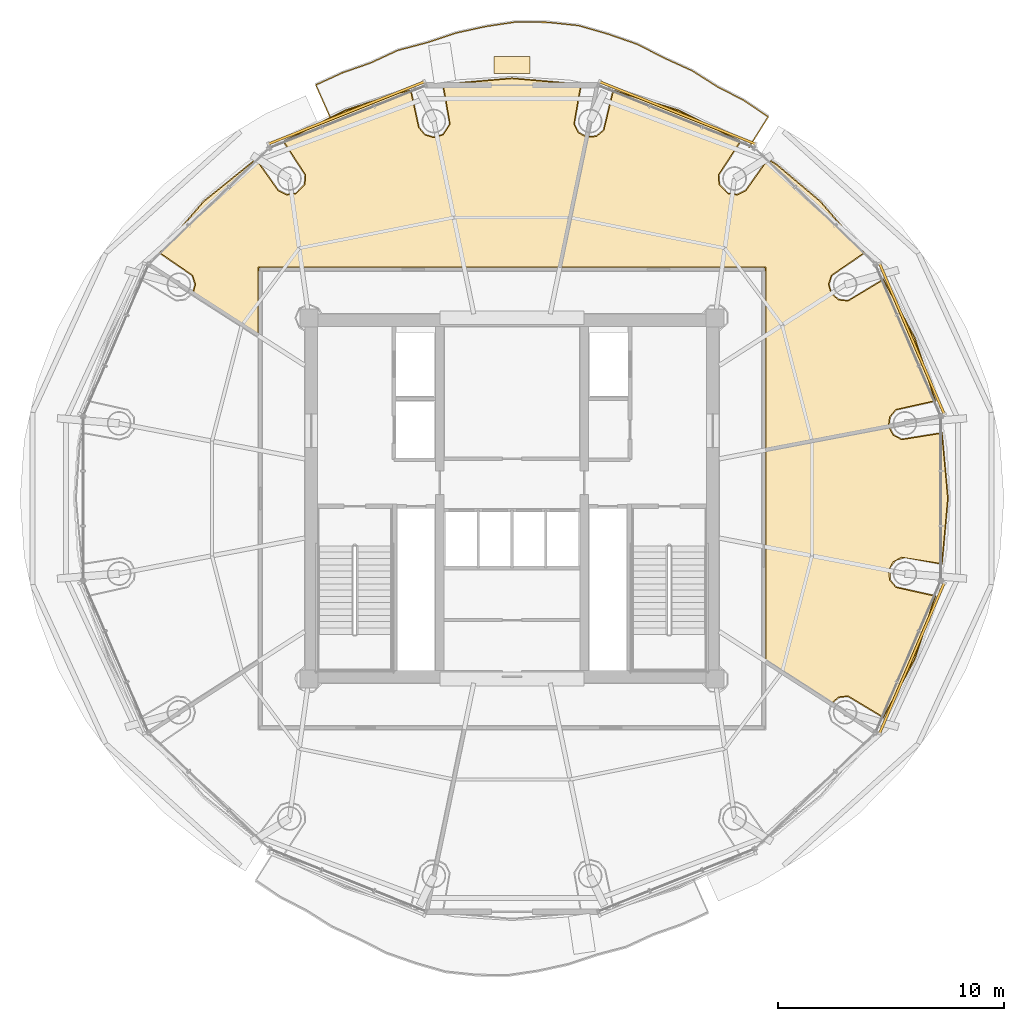
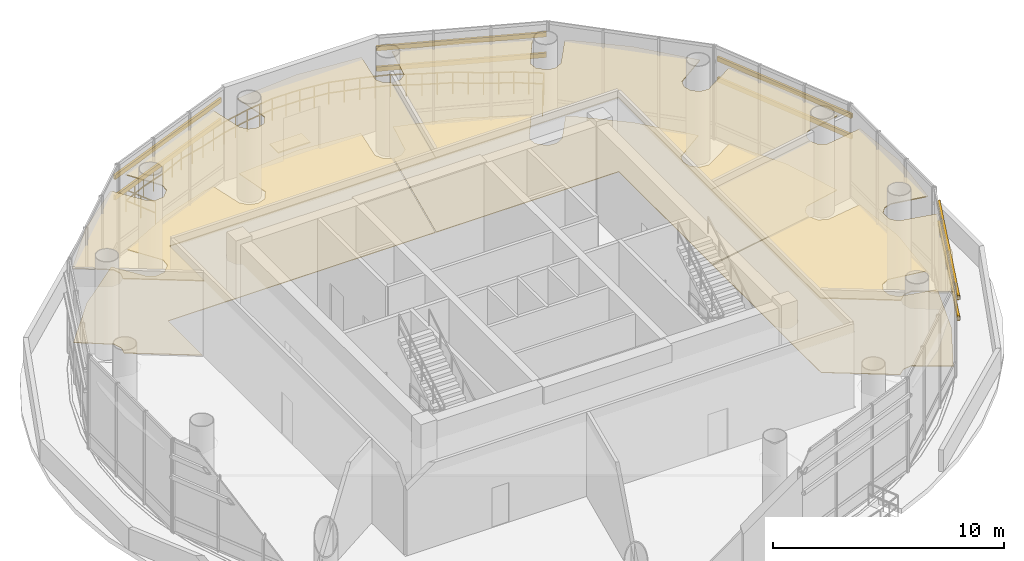
# One storey, part 22 of 22: 8 shading devices, 7 coverings, 1 railing.
"""IFC4 building model written with IfcOpenShell, lengths in metres."""

from ifc_helpers import new_model, si_unit, direction, frame, origin, origin_2d, place, context, subcontext, project, spatial, polyline, rectangle, hollow_rectangle, outline, extrude, source, transform, mapped, material, layer, layer_set, material_profile, profile_set, type_object, element, save


model = new_model("IFC4")

# Units and contexts
model_context = context("Model", 3, precision=1e-05, world=origin(), true_north=direction((-0.2419218956, 0.970295726276)))
body_context = subcontext(model_context, "Body", "Model", "MODEL_VIEW")
ifc_project = project(units=[si_unit("LENGTHUNIT", "METRE"), si_unit("AREAUNIT", "SQUARE_METRE"), si_unit("VOLUMEUNIT", "CUBIC_METRE"), si_unit("PLANEANGLEUNIT", "RADIAN"), si_unit("MASSUNIT", "GRAM", prefix="KILO")], contexts=[model_context])

# Site, building, storey
site_placement = place(None, origin())
site = spatial("IfcSite", under=ifc_project, at=site_placement, CompositionType="ELEMENT")
building_placement = place(site_placement, origin())
building = spatial("IfcBuilding", under=site, at=building_placement, Name="Cobrevalo Terracotta Tower", CompositionType="ELEMENT")
storey_placement = place(building_placement, frame((0.0, 0.0, 243.0)))
storey = spatial("IfcBuildingStorey", under=building, at=storey_placement, Name="L64", CompositionType="ELEMENT", Elevation=243.0)

# Railing
ifc_material_1 = material(Name="Laminated structural glass and stainless steel", Category="steel")
railing_type = type_object("IfcRailingType", Name="Balcony lobe structural glass & terracotta-cap balustrade 1180 mm", PredefinedType="BALUSTRADE", material=ifc_material_1)
railing_placement = place(storey_placement, frame((48.509033203125, 42.36669921875, 0.0)))
element("IfcRailing", 1, at=railing_placement, inside=storey, type_object=railing_type, Name="L64 spiralling balcony lobe balustrade 1", PredefinedType="BALUSTRADE", context=body_context, shape_type="SweptSolid", body=[
    extrude(rectangle(XDim=0.048095703125, YDim=0.048095703125, at=origin_2d()), frame((0.0, 0.0, 1.15576171875), z_axis=(0.531421841923, 0.847107328458, 0.0), x_axis=(-0.847107328458, 0.531421841923, 0.0)), (0.0, 0.0, 1.0), 1.587646484375),
    extrude(rectangle(XDim=0.048095703125, YDim=0.048095703125, at=origin_2d()), frame((0.0, 0.0, 0.58984375), z_axis=(0.531421841923, 0.847107328458, 0.0), x_axis=(-0.847107328458, 0.531421841923, 0.0)), (0.0, 0.0, 1.0), 1.587646484375),
    extrude(rectangle(XDim=0.048095703125, YDim=0.048095703125, at=origin_2d()), frame((0.84375, 1.344970703125, 1.15576171875), z_axis=(-0.829187182177, 0.558971034056, 0.0), x_axis=(-0.558971034056, -0.829187182177, 0.0)), (0.0, 0.0, 1.0), 1.3037109375),
    extrude(rectangle(XDim=0.048095703125, YDim=0.048095703125, at=origin_2d()), frame((0.84375, 1.344970703125, 0.58984375), z_axis=(-0.829187182177, 0.558971034056, 0.0), x_axis=(-0.558971034056, -0.829187182177, 0.0)), (0.0, 0.0, 1.0), 1.3037109375),
    extrude(rectangle(XDim=0.048095703125, YDim=0.048095703125, at=origin_2d()), frame((-0.2373046875, 2.07373046875, 1.15576171875), z_axis=(-0.889029768146, 0.457849398111, 0.0), x_axis=(-0.457849398111, -0.889029768146, 0.0)), (0.0, 0.0, 1.0), 1.30908203125),
    extrude(rectangle(XDim=0.048095703125, YDim=0.048095703125, at=origin_2d()), frame((-0.2373046875, 2.07373046875, 0.58984375), z_axis=(-0.889029768146, 0.457849398111, 0.0), x_axis=(-0.457849398111, -0.889029768146, 0.0)), (0.0, 0.0, 1.0), 1.30908203125),
    extrude(rectangle(XDim=0.048095703125, YDim=0.048095703125, at=origin_2d()), frame((-1.401123046875, 2.673095703125, 1.15576171875), z_axis=(-0.844551041735, 0.535475058153, 0.0), x_axis=(-0.535475058153, -0.844551041735, 0.0)), (0.0, 0.0, 1.0), 1.331787109375),
    extrude(rectangle(XDim=0.048095703125, YDim=0.048095703125, at=origin_2d()), frame((-1.401123046875, 2.673095703125, 0.58984375), z_axis=(-0.844551041735, 0.535475058153, 0.0), x_axis=(-0.535475058153, -0.844551041735, 0.0)), (0.0, 0.0, 1.0), 1.331787109375),
    extrude(rectangle(XDim=0.048095703125, YDim=0.048095703125, at=origin_2d()), frame((-2.52587890625, 3.38623046875, 1.15576171875), z_axis=(-0.910742410803, 0.412974891687, 0.0), x_axis=(-0.412974891687, -0.910742410803, 0.0)), (0.0, 0.0, 1.0), 1.3330078125),
    extrude(rectangle(XDim=0.048095703125, YDim=0.048095703125, at=origin_2d()), frame((-2.52587890625, 3.38623046875, 0.58984375), z_axis=(-0.910742410803, 0.412974891687, 0.0), x_axis=(-0.412974891687, -0.910742410803, 0.0)), (0.0, 0.0, 1.0), 1.3330078125),
    extrude(rectangle(XDim=0.048095703125, YDim=0.048095703125, at=origin_2d()), frame((-3.739990234375, 3.936767578125, 1.15576171875), z_axis=(-0.8902346552, 0.455502204913, 0.0), x_axis=(-0.455502204913, -0.8902346552, 0.0)), (0.0, 0.0, 1.0), 1.363525390625),
    extrude(rectangle(XDim=0.048095703125, YDim=0.048095703125, at=origin_2d()), frame((-3.739990234375, 3.936767578125, 0.58984375), z_axis=(-0.8902346552, 0.455502204913, 0.0), x_axis=(-0.455502204913, -0.8902346552, 0.0)), (0.0, 0.0, 1.0), 1.363525390625),
    extrude(rectangle(XDim=0.048095703125, YDim=0.048095703125, at=origin_2d()), frame((-4.953857421875, 4.557861328125, 1.15576171875), z_axis=(-0.944184634072, 0.329416722075, 0.0), x_axis=(-0.329416722075, -0.944184634072, 0.0)), (0.0, 0.0, 1.0), 1.363037109375),
    extrude(rectangle(XDim=0.048095703125, YDim=0.048095703125, at=origin_2d()), frame((-4.953857421875, 4.557861328125, 0.58984375), z_axis=(-0.944184634072, 0.329416722075, 0.0), x_axis=(-0.329416722075, -0.944184634072, 0.0)), (0.0, 0.0, 1.0), 1.363037109375),
    extrude(rectangle(XDim=0.048095703125, YDim=0.048095703125, at=origin_2d()), frame((-6.24072265625, 5.0068359375, 1.15576171875), z_axis=(-0.960715235632, 0.277536008518, 0.0), x_axis=(-0.277536008518, -0.960715235632, 0.0)), (0.0, 0.0, 1.0), 1.3740234375),
    extrude(rectangle(XDim=0.048095703125, YDim=0.048095703125, at=origin_2d()), frame((-6.24072265625, 5.0068359375, 0.58984375), z_axis=(-0.960715235632, 0.277536008518, 0.0), x_axis=(-0.277536008518, -0.960715235632, 0.0)), (0.0, 0.0, 1.0), 1.3740234375),
    extrude(rectangle(XDim=0.048095703125, YDim=0.048095703125, at=origin_2d()), frame((-7.560791015625, 5.38818359375, 1.15576171875), z_axis=(-0.994528870781, 0.104462075332, 0.0), x_axis=(-0.104462075332, -0.994528870781, 0.0)), (0.0, 0.0, 1.0), 1.36962890625),
    extrude(rectangle(XDim=0.048095703125, YDim=0.048095703125, at=origin_2d()), frame((-7.560791015625, 5.38818359375, 0.58984375), z_axis=(-0.994528870781, 0.104462075332, 0.0), x_axis=(-0.104462075332, -0.994528870781, 0.0)), (0.0, 0.0, 1.0), 1.36962890625),
    extrude(rectangle(XDim=0.048095703125, YDim=0.048095703125, at=origin_2d()), frame((-8.9228515625, 5.53125, 1.15576171875), z_axis=(-0.999862718777, 0.016569357243, 0.0), x_axis=(-0.016569357243, -0.999862718777, 0.0)), (0.0, 0.0, 1.0), 1.370361328125),
    extrude(rectangle(XDim=0.048095703125, YDim=0.048095703125, at=origin_2d()), frame((-8.9228515625, 5.53125, 0.58984375), z_axis=(-0.999862718777, 0.016569357243, 0.0), x_axis=(-0.016569357243, -0.999862718777, 0.0)), (0.0, 0.0, 1.0), 1.370361328125),
    extrude(rectangle(XDim=0.048095703125, YDim=0.048095703125, at=origin_2d()), frame((-10.29296875, 5.553955078125, 1.15576171875), z_axis=(-0.989004046857, -0.147888455605, 0.0), x_axis=(0.147888455605, -0.989004046857, 0.0)), (0.0, 0.0, 1.0), 1.37353515625),
    extrude(rectangle(XDim=0.048095703125, YDim=0.048095703125, at=origin_2d()), frame((-10.29296875, 5.553955078125, 0.58984375), z_axis=(-0.989004046857, -0.147888455605, 0.0), x_axis=(0.147888455605, -0.989004046857, 0.0)), (0.0, 0.0, 1.0), 1.37353515625),
    extrude(rectangle(XDim=0.048095703125, YDim=0.048095703125, at=origin_2d()), frame((-11.6513671875, 5.350830078125, 1.15576171875), z_axis=(-0.97690118397, -0.213691545825, 0.0), x_axis=(0.213691545825, -0.97690118397, 0.0)), (0.0, 0.0, 1.0), 1.365234375),
    extrude(rectangle(XDim=0.048095703125, YDim=0.048095703125, at=origin_2d()), frame((-11.6513671875, 5.350830078125, 0.58984375), z_axis=(-0.97690118397, -0.213691545825, 0.0), x_axis=(0.213691545825, -0.97690118397, 0.0)), (0.0, 0.0, 1.0), 1.365234375),
    extrude(rectangle(XDim=0.048095703125, YDim=0.048095703125, at=origin_2d()), frame((-12.985107421875, 5.05908203125, 1.15576171875), z_axis=(-0.949274589968, -0.314448330957, 0.0), x_axis=(0.314448330957, -0.949274589968, 0.0)), (0.0, 0.0, 1.0), 1.358642578125),
    extrude(rectangle(XDim=0.048095703125, YDim=0.048095703125, at=origin_2d()), frame((-12.985107421875, 5.05908203125, 0.58984375), z_axis=(-0.949274589968, -0.314448330957, 0.0), x_axis=(0.314448330957, -0.949274589968, 0.0)), (0.0, 0.0, 1.0), 1.358642578125),
    extrude(rectangle(XDim=0.048095703125, YDim=0.048095703125, at=origin_2d()), frame((-14.27490234375, 4.6318359375, 1.15576171875), z_axis=(-0.966605125126, -0.256270427636, 0.0), x_axis=(0.256270427636, -0.966605125126, 0.0)), (0.0, 0.0, 1.0), 1.331787109375),
    extrude(rectangle(XDim=0.048095703125, YDim=0.048095703125, at=origin_2d()), frame((-14.27490234375, 4.6318359375, 0.58984375), z_axis=(-0.966605125126, -0.256270427636, 0.0), x_axis=(0.256270427636, -0.966605125126, 0.0)), (0.0, 0.0, 1.0), 1.331787109375),
    extrude(rectangle(XDim=0.048095703125, YDim=0.048095703125, at=origin_2d()), frame((-15.562255859375, 4.29052734375, 1.15576171875), z_axis=(-0.908093085912, -0.41876836953, 0.0), x_axis=(0.41876836953, -0.908093085912, 0.0)), (0.0, 0.0, 1.0), 1.335693359375),
    extrude(rectangle(XDim=0.048095703125, YDim=0.048095703125, at=origin_2d()), frame((-15.562255859375, 4.29052734375, 0.58984375), z_axis=(-0.908093085912, -0.41876836953, 0.0), x_axis=(0.41876836953, -0.908093085912, 0.0)), (0.0, 0.0, 1.0), 1.335693359375),
    extrude(rectangle(XDim=0.048095703125, YDim=0.048095703125, at=origin_2d()), frame((-16.775146484375, 3.731201171875, 1.15576171875), z_axis=(-0.944003405332, -0.329935706952, 0.0), x_axis=(0.329935706952, -0.944003405332, 0.0)), (0.0, 0.0, 1.0), 1.311279296875),
    extrude(rectangle(XDim=0.048095703125, YDim=0.048095703125, at=origin_2d()), frame((-16.775146484375, 3.731201171875, 0.58984375), z_axis=(-0.944003405332, -0.329935706952, 0.0), x_axis=(0.329935706952, -0.944003405332, 0.0)), (0.0, 0.0, 1.0), 1.311279296875),
    extrude(rectangle(XDim=0.048095703125, YDim=0.048095703125, at=origin_2d()), frame((-18.012939453125, 3.298583984375, 1.15576171875), z_axis=(-0.909686468188, -0.415295713432, 0.0), x_axis=(0.415295713432, -0.909686468188, 0.0)), (0.0, 0.0, 1.0), 1.3056640625),
    extrude(rectangle(XDim=0.048095703125, YDim=0.048095703125, at=origin_2d()), frame((-18.012939453125, 3.298583984375, 0.58984375), z_axis=(-0.909686468188, -0.415295713432, 0.0), x_axis=(0.415295713432, -0.909686468188, 0.0)), (0.0, 0.0, 1.0), 1.3056640625),
    extrude(rectangle(XDim=0.048095703125, YDim=0.048095703125, at=origin_2d()), frame((-19.20068359375, 2.75634765625, 1.15576171875), z_axis=(0.405321069463, -0.914174398378, 0.0), x_axis=(0.914174398378, 0.405321069463, 0.0)), (0.0, 0.0, 1.0), 1.579833984375),
    extrude(rectangle(XDim=0.048095703125, YDim=0.048095703125, at=origin_2d()), frame((-19.20068359375, 2.75634765625, 0.58984375), z_axis=(0.405321069463, -0.914174398378, 0.0), x_axis=(0.914174398378, 0.405321069463, 0.0)), (0.0, 0.0, 1.0), 1.579833984375),
    extrude(rectangle(XDim=0.0419921875, YDim=0.0419921875, at=origin_2d()), origin(), (0.0, 0.0, 1.0), 1.1318359375),
    extrude(rectangle(XDim=0.0419921875, YDim=0.0419921875, at=origin_2d()), frame((0.421875, 0.67236328125, 0.0)), (0.0, 0.0, 1.0), 1.1318359375),
    extrude(rectangle(XDim=0.0419921875, YDim=0.0419921875, at=origin_2d()), frame((0.84375, 1.344970703125, 0.0)), (0.0, 0.0, 1.0), 1.1318359375),
    extrude(rectangle(XDim=0.0419921875, YDim=0.0419921875, at=origin_2d()), frame((0.30322265625, 1.70947265625, 0.0)), (0.0, 0.0, 1.0), 1.1318359375),
    extrude(rectangle(XDim=0.0419921875, YDim=0.0419921875, at=origin_2d()), frame((-0.2373046875, 2.07373046875, 0.0)), (0.0, 0.0, 1.0), 1.1318359375),
    extrude(rectangle(XDim=0.0419921875, YDim=0.0419921875, at=origin_2d()), frame((-0.8193359375, 2.37353515625, 0.0)), (0.0, 0.0, 1.0), 1.1318359375),
    extrude(rectangle(XDim=0.0419921875, YDim=0.0419921875, at=origin_2d()), frame((-1.401123046875, 2.673095703125, 0.0)), (0.0, 0.0, 1.0), 1.1318359375),
    extrude(rectangle(XDim=0.0419921875, YDim=0.0419921875, at=origin_2d()), frame((-1.96337890625, 3.02978515625, 0.0)), (0.0, 0.0, 1.0), 1.1318359375),
    extrude(rectangle(XDim=0.0419921875, YDim=0.0419921875, at=origin_2d()), frame((-2.52587890625, 3.38623046875, 0.0)), (0.0, 0.0, 1.0), 1.1318359375),
    extrude(rectangle(XDim=0.0419921875, YDim=0.0419921875, at=origin_2d()), frame((-3.1328125, 3.66162109375, 0.0)), (0.0, 0.0, 1.0), 1.1318359375),
    extrude(rectangle(XDim=0.0419921875, YDim=0.0419921875, at=origin_2d()), frame((-3.739990234375, 3.936767578125, 0.0)), (0.0, 0.0, 1.0), 1.1318359375),
    extrude(rectangle(XDim=0.0419921875, YDim=0.0419921875, at=origin_2d()), frame((-4.346923828125, 4.247314453125, 0.0)), (0.0, 0.0, 1.0), 1.1318359375),
    extrude(rectangle(XDim=0.0419921875, YDim=0.0419921875, at=origin_2d()), frame((-4.953857421875, 4.557861328125, 0.0)), (0.0, 0.0, 1.0), 1.1318359375),
    extrude(rectangle(XDim=0.0419921875, YDim=0.0419921875, at=origin_2d()), frame((-5.59716796875, 4.7822265625, 0.0)), (0.0, 0.0, 1.0), 1.1318359375),
    extrude(rectangle(XDim=0.0419921875, YDim=0.0419921875, at=origin_2d()), frame((-6.24072265625, 5.0068359375, 0.0)), (0.0, 0.0, 1.0), 1.1318359375),
    extrude(rectangle(XDim=0.0419921875, YDim=0.0419921875, at=origin_2d()), frame((-6.90087890625, 5.197509765625, 0.0)), (0.0, 0.0, 1.0), 1.1318359375),
    extrude(rectangle(XDim=0.0419921875, YDim=0.0419921875, at=origin_2d()), frame((-7.560791015625, 5.38818359375, 0.0)), (0.0, 0.0, 1.0), 1.1318359375),
    extrude(rectangle(XDim=0.0419921875, YDim=0.0419921875, at=origin_2d()), frame((-8.24169921875, 5.459716796875, 0.0)), (0.0, 0.0, 1.0), 1.1318359375),
    extrude(rectangle(XDim=0.0419921875, YDim=0.0419921875, at=origin_2d()), frame((-8.9228515625, 5.53125, 0.0)), (0.0, 0.0, 1.0), 1.1318359375),
    extrude(rectangle(XDim=0.0419921875, YDim=0.0419921875, at=origin_2d()), frame((-9.60791015625, 5.54248046875, 0.0)), (0.0, 0.0, 1.0), 1.1318359375),
    extrude(rectangle(XDim=0.0419921875, YDim=0.0419921875, at=origin_2d()), frame((-10.29296875, 5.553955078125, 0.0)), (0.0, 0.0, 1.0), 1.1318359375),
    extrude(rectangle(XDim=0.0419921875, YDim=0.0419921875, at=origin_2d()), frame((-10.97216796875, 5.452392578125, 0.0)), (0.0, 0.0, 1.0), 1.1318359375),
    extrude(rectangle(XDim=0.0419921875, YDim=0.0419921875, at=origin_2d()), frame((-11.6513671875, 5.350830078125, 0.0)), (0.0, 0.0, 1.0), 1.1318359375),
    extrude(rectangle(XDim=0.0419921875, YDim=0.0419921875, at=origin_2d()), frame((-12.318359375, 5.205078125, 0.0)), (0.0, 0.0, 1.0), 1.1318359375),
    extrude(rectangle(XDim=0.0419921875, YDim=0.0419921875, at=origin_2d()), frame((-12.985107421875, 5.05908203125, 0.0)), (0.0, 0.0, 1.0), 1.1318359375),
    extrude(rectangle(XDim=0.0419921875, YDim=0.0419921875, at=origin_2d()), frame((-13.6298828125, 4.845458984375, 0.0)), (0.0, 0.0, 1.0), 1.1318359375),
    extrude(rectangle(XDim=0.0419921875, YDim=0.0419921875, at=origin_2d()), frame((-14.27490234375, 4.6318359375, 0.0)), (0.0, 0.0, 1.0), 1.1318359375),
    extrude(rectangle(XDim=0.0419921875, YDim=0.0419921875, at=origin_2d()), frame((-14.91845703125, 4.461181640625, 0.0)), (0.0, 0.0, 1.0), 1.1318359375),
    extrude(rectangle(XDim=0.0419921875, YDim=0.0419921875, at=origin_2d()), frame((-15.562255859375, 4.29052734375, 0.0)), (0.0, 0.0, 1.0), 1.1318359375),
    extrude(rectangle(XDim=0.0419921875, YDim=0.0419921875, at=origin_2d()), frame((-16.168701171875, 4.0107421875, 0.0)), (0.0, 0.0, 1.0), 1.1318359375),
    extrude(rectangle(XDim=0.0419921875, YDim=0.0419921875, at=origin_2d()), frame((-16.775146484375, 3.731201171875, 0.0)), (0.0, 0.0, 1.0), 1.1318359375),
    extrude(rectangle(XDim=0.0419921875, YDim=0.0419921875, at=origin_2d()), frame((-17.39404296875, 3.514892578125, 0.0)), (0.0, 0.0, 1.0), 1.1318359375),
    extrude(rectangle(XDim=0.0419921875, YDim=0.0419921875, at=origin_2d()), frame((-18.012939453125, 3.298583984375, 0.0)), (0.0, 0.0, 1.0), 1.1318359375),
    extrude(rectangle(XDim=0.0419921875, YDim=0.0419921875, at=origin_2d()), frame((-18.60693359375, 3.02734375, 0.0)), (0.0, 0.0, 1.0), 1.1318359375),
    extrude(rectangle(XDim=0.0419921875, YDim=0.0419921875, at=origin_2d()), frame((-19.20068359375, 2.75634765625, 0.0)), (0.0, 0.0, 1.0), 1.1318359375),
    extrude(rectangle(XDim=0.0419921875, YDim=0.0419921875, at=origin_2d()), frame((-18.88037109375, 2.0341796875, 0.0)), (0.0, 0.0, 1.0), 1.1318359375),
    extrude(rectangle(XDim=0.0419921875, YDim=0.0419921875, at=origin_2d()), frame((-18.560302734375, 1.31201171875, 0.0)), (0.0, 0.0, 1.0), 1.1318359375),
])

# Coverings
ifc_material_2 = material(Name="Honed terracotta and granite tile", Category="masonry")
ifc_layer_1 = layer(ifc_material_2, 0.034912109375)
ifc_layer_set_1 = layer_set([ifc_layer_1], Name="Honed terracotta and granite tile")
covering_type_1 = type_object("IfcCoveringType", Name="Honed Terracotta & Granite Interior Flooring 35", PredefinedType="FLOORING", material=ifc_layer_set_1)
covering_1_placement = place(storey_placement, origin())
element("IfcCovering", 2, at=covering_1_placement, inside=storey, type_object=covering_type_1, Name="L64 Horizon Sky Lounge floor finish", PredefinedType="FLOORING", context=body_context, shape_type="SweptSolid", body=[
    extrude(outline(polyline([(41.321533203125, 42.796630859375), (41.74072265625, 42.83642578125), (42.074951171875, 43.1064453125), (42.495849609375, 44.86181640625), (45.385986328125, 43.984130859375), (48.101318359375, 42.617431640625), (47.138427734375, 41.134521484375), (47.17236328125, 40.706298828125), (47.5654296875, 40.29833984375), (47.9921875, 40.248046875), (48.374755859375, 40.443603515625), (49.346435546875, 41.815673828125), (49.749267578125, 41.55615234375), (51.6474609375, 39.951904296875), (53.607421875, 37.696533203125), (52.15087890625, 36.69482421875), (52.0185546875, 36.2861328125), (52.1357421875, 35.872802734375), (52.462890625, 35.593994140625), (52.8896484375, 35.5439453125), (54.451171875, 36.4794921875), (55.8310546875, 33.917724609375), (56.741455078125, 31.13427734375), (55.00244140625, 30.74462890625), (54.727294921875, 30.41455078125), (54.67919921875, 30.018310546875), (49.2548828125, 28.978271484375), (49.2548828125, 37.054931640625), (40.13671875, 37.054931640625), (41.321533203125, 42.796630859375)])), origin(), (0.0, 0.0, 1.0), 0.030029296875),
])
covering_2_placement = place(storey_placement, origin())
element("IfcCovering", 3, at=covering_2_placement, inside=storey, type_object=covering_type_1, Name="L64 Wine Tasting Room floor finish", PredefinedType="FLOORING", context=body_context, shape_type="SweptSolid", body=[
    extrude(outline(polyline([(24.3525390625, 39.951904296875), (26.653564453125, 41.815673828125), (27.625244140625, 40.443603515625), (28.0078125, 40.248046875), (28.4345703125, 40.29833984375), (28.82763671875, 40.706298828125), (28.861572265625, 41.134521484375), (27.898681640625, 42.617431640625), (30.614013671875, 43.984130859375), (33.004638671875, 44.76611328125), (33.504150390625, 44.86181640625), (33.855712890625, 43.23388671875), (34.130859375, 42.90380859375), (34.54296875, 42.7822265625), (34.953125, 42.91015625), (35.26416015625, 43.3837890625), (34.957763671875, 45.140625), (38.0, 45.39990234375), (41.042236328125, 45.140625), (40.73583984375, 43.3837890625), (40.935546875, 43.003173828125), (41.28271484375, 42.80712890625), (40.095703125, 37.054931640625), (26.7451171875, 37.054931640625), (26.7451171875, 34.07275390625), (23.885498046875, 35.91455078125), (23.9814453125, 36.2861328125), (23.84912109375, 36.69482421875), (22.392578125, 37.696533203125), (24.3525390625, 39.951904296875)])), origin(), (0.0, 0.0, 1.0), 0.030029296875),
])
covering_3_placement = place(storey_placement, origin())
element("IfcCovering", 4, at=covering_3_placement, inside=storey, type_object=covering_type_1, Name="L64 Sky Steward Pantry Store floor finish", PredefinedType="FLOORING", context=body_context, shape_type="SweptSolid", body=[
    extrude(outline(polyline([(54.6845703125, 29.978759765625), (54.881591796875, 29.60693359375), (55.259033203125, 29.401611328125), (57.04052734375, 29.6845703125), (57.300048828125, 26.800048828125), (57.04052734375, 23.915283203125), (55.259033203125, 24.198486328125), (54.881591796875, 23.9931640625), (54.681884765625, 23.612548828125), (54.727294921875, 23.185302734375), (55.00244140625, 22.855224609375), (56.741455078125, 22.4658203125), (55.8310546875, 19.682373046875), (54.451171875, 17.12060546875), (52.8896484375, 18.055908203125), (52.462890625, 18.005859375), (52.135498046875, 17.719482421875), (49.2548828125, 19.57470703125), (49.2548828125, 28.9375), (54.6845703125, 29.978759765625)])), origin(), (0.0, 0.0, 1.0), 0.030029296875),
])
ifc_material_3 = material(Name="Acoustic perforated gypsum ceiling", Category="gypsum")
ifc_layer_2 = layer(ifc_material_3, 0.050048828125)
ifc_layer_set_2 = layer_set([ifc_layer_2], Name="Acoustic perforated gypsum ceiling")
covering_type_2 = type_object("IfcCoveringType", Name="Perforated Acoustic Gypsum Ceiling 50", PredefinedType="CEILING", material=ifc_layer_set_2)
covering_4_placement = place(storey_placement, frame((0.0, 0.0, 3.949951171875)))
element("IfcCovering", 5, at=covering_4_placement, inside=storey, type_object=covering_type_2, Name="L64 Horizon Sky Lounge acoustic ceiling", PredefinedType="CEILING", context=body_context, shape_type="SweptSolid", body=[
    extrude(outline(polyline([(41.28564453125, 42.845703125), (41.7236328125, 42.87841796875), (42.03759765625, 43.1318359375), (42.4609375, 44.914306640625), (45.40283203125, 44.02587890625), (48.164794921875, 42.6298828125), (47.1826171875, 41.124755859375), (47.214599609375, 40.72265625), (47.58349609375, 40.339599609375), (47.984130859375, 40.292724609375), (48.343505859375, 40.47607421875), (49.334228515625, 41.876953125), (49.776123046875, 41.59228515625), (51.6787109375, 39.984375), (53.6708984375, 37.683837890625), (52.18798828125, 36.669189453125), (52.063720703125, 36.285400390625), (52.173828125, 35.897216796875), (52.48095703125, 35.635498046875), (52.881591796875, 35.588623046875), (54.46337890625, 36.540771484375), (55.872314453125, 33.935546875), (56.794677734375, 31.0986328125), (55.02734375, 30.70703125), (54.76904296875, 30.39697265625), (54.727783203125, 29.98193359375), (49.2099609375, 28.923828125), (49.2099609375, 37.010009765625), (40.081298828125, 37.010009765625), (41.28564453125, 42.845703125)])), origin(), (0.0, 0.0, 1.0), 0.050048828125),
])
covering_5_placement = place(storey_placement, frame((0.0, 0.0, 3.949951171875)))
element("IfcCovering", 6, at=covering_5_placement, inside=storey, type_object=covering_type_2, Name="L64 Wine Tasting Room acoustic ceiling", PredefinedType="CEILING", context=body_context, shape_type="SweptSolid", body=[
    extrude(outline(polyline([(24.3212890625, 39.984375), (26.665771484375, 41.876953125), (27.656494140625, 40.47607421875), (28.015869140625, 40.292724609375), (28.41650390625, 40.339599609375), (28.785400390625, 40.72265625), (28.8173828125, 41.124755859375), (27.835205078125, 42.6298828125), (30.59716796875, 44.02587890625), (32.993408203125, 44.809814453125), (33.5390625, 44.914306640625), (33.897216796875, 43.25146484375), (34.15576171875, 42.941650390625), (34.54248046875, 42.82763671875), (34.927734375, 42.94775390625), (35.2197265625, 43.39208984375), (34.904541015625, 45.17626953125), (38.0, 45.445068359375), (41.095458984375, 45.17626953125), (40.7802734375, 43.39208984375), (40.9677734375, 43.034912109375), (41.3349609375, 42.837890625), (40.13232421875, 37.010009765625), (26.7900390625, 37.010009765625), (26.7900390625, 33.990234375), (23.826904296875, 35.898681640625), (23.936279296875, 36.285400390625), (23.81201171875, 36.669189453125), (22.3291015625, 37.683837890625), (24.3212890625, 39.984375)])), origin(), (0.0, 0.0, 1.0), 0.050048828125),
])
covering_6_placement = place(storey_placement, frame((0.0, 0.0, 3.949951171875)))
element("IfcCovering", 7, at=covering_6_placement, inside=storey, type_object=covering_type_2, Name="L64 Sky Steward Pantry Store acoustic ceiling", PredefinedType="CEILING", context=body_context, shape_type="SweptSolid", body=[
    extrude(outline(polyline([(54.716064453125, 30.030517578125), (54.913818359375, 29.638671875), (55.268310546875, 29.44580078125), (57.07568359375, 29.737060546875), (57.344970703125, 26.800048828125), (57.07568359375, 23.86279296875), (55.40380859375, 24.16845703125), (55.0185546875, 24.048583984375), (54.764892578125, 23.73486328125), (54.76904296875, 23.202880859375), (55.02734375, 22.89306640625), (56.794677734375, 22.50146484375), (55.872314453125, 19.66455078125), (54.46337890625, 17.05908203125), (52.881591796875, 18.011474609375), (52.48095703125, 17.964599609375), (52.146728515625, 17.658935546875), (49.2099609375, 19.55029296875), (49.2099609375, 28.974853515625), (54.716064453125, 30.030517578125)])), origin(), (0.0, 0.0, 1.0), 0.050048828125),
])

# Shading devices
ifc_material_4 = material(Name="Extruded fired architectural terracotta", Category="masonry")
ifc_material_profile = material_profile(ifc_material_4, hollow_rectangle(XDim=0.110107421875, YDim=0.239990234375, WallThickness=0.01806640625, at=origin_2d()), Name="BAGUETTE 110x240")
ifc_profile_set = profile_set([ifc_material_profile], Name="Extruded fired architectural terracotta")
shading_device_type = type_object("IfcShadingDeviceType", Name="Horizontal Terracotta Baguette Screen 110x240", PredefinedType="USERDEFINED", material=ifc_profile_set)
shared_shape_1 = source(origin(), body_context, "Body", "SweptSolid", [
    extrude(hollow_rectangle(XDim=0.110107421875, YDim=0.239990234375, WallThickness=0.01806640625, at=origin_2d()), origin(), (0.0, 0.0, 1.0), 7.245361328125),
])
for number, where, z_axis, x_axis, name in (
    (8, (57.1474609375, 30.550048828125, 3.062744140625), (-0.394846311088, 0.918747185367, 0.0), (-0.918747185367, -0.394846311088, 0.0), "CW-SK-L64-S01 horizontal terracotta baguette 1"),
    (9, (57.1474609375, 30.550048828125, 4.149658203125), (-0.394846311088, 0.918747185367, 0.0), (-0.918747185367, -0.394846311088, 0.0), "CW-SK-L64-S01 horizontal terracotta baguette 2"),
    (10, (54.28662109375, 16.39306640625, 3.062744140625), (0.394846311088, 0.918747185367, 0.0), (-0.918747185367, 0.394846311088, 0.0), "CW-SK-L64-S15 horizontal terracotta baguette 1"),
    (11, (54.28662109375, 16.39306640625, 4.149658203125), (0.394846311088, 0.918747185367, 0.0), (-0.918747185367, 0.394846311088, 0.0), "CW-SK-L64-S15 horizontal terracotta baguette 2"),
):
    element("IfcShadingDevice", number, at=place(storey_placement, frame(where, z_axis=z_axis, x_axis=x_axis)), inside=storey, type_object=shading_device_type, Name=name, ObjectType="BAGUETTE", PredefinedType="USERDEFINED", context=body_context, shape_type="MappedRepresentation", body=[
        mapped(shared_shape_1, transform((0.0, 0.0, 0.0), scale=1.0)),
    ])
shared_shape_2 = source(origin(), body_context, "Body", "SweptSolid", [
    extrude(hollow_rectangle(XDim=0.110107421875, YDim=0.239990234375, WallThickness=0.01806640625, at=origin_2d()), origin(), (0.0, 0.0, 1.0), 7.4384765625),
])
for number, where, z_axis, x_axis, name in (
    (12, (48.791015625, 42.505615234375, 3.062744140625), (-0.928718693882, 0.370785096296, 0.0), (-0.370785096296, -0.928718693882, 0.0), "CW-SK-L64-S03 horizontal terracotta baguette 1"),
    (13, (48.791015625, 42.505615234375, 4.149658203125), (-0.928718693882, 0.370785096296, 0.0), (-0.370785096296, -0.928718693882, 0.0), "CW-SK-L64-S03 horizontal terracotta baguette 2"),
    (14, (34.1171875, 45.263671875, 3.062744140625), (-0.928718693882, -0.370785096296, 0.0), (0.370785096296, -0.928718693882, 0.0), "CW-SK-L64-S05 horizontal terracotta baguette 1"),
    (15, (34.1171875, 45.263671875, 4.149658203125), (-0.928718693882, -0.370785096296, 0.0), (0.370785096296, -0.928718693882, 0.0), "CW-SK-L64-S05 horizontal terracotta baguette 2"),
):
    element("IfcShadingDevice", number, at=place(storey_placement, frame(where, z_axis=z_axis, x_axis=x_axis)), inside=storey, type_object=shading_device_type, Name=name, ObjectType="BAGUETTE", PredefinedType="USERDEFINED", context=body_context, shape_type="MappedRepresentation", body=[
        mapped(shared_shape_2, transform((0.0, 0.0, 0.0), scale=1.0)),
    ])

# Covering
ifc_material_5 = material(Name="Insulated TPO roof waterproofing membrane", Category="bitumen")
ifc_layer_3 = layer(ifc_material_5, 0.06005859375)
ifc_layer_set_3 = layer_set([ifc_layer_3], Name="Insulated TPO roof waterproofing membrane")
covering_type_3 = type_object("IfcCoveringType", Name="Insulated UV-reflective waterproof roof membrane 60 mm", PredefinedType="ROOFING", material=ifc_layer_set_3)
shared_shape_3 = source(origin(), body_context, "Body", "SweptSolid", [
    extrude(rectangle(XDim=1.60009765625, YDim=0.75, at=origin_2d()), origin(), (0.0, 0.0, 1.0), 0.06005859375),
])
covering_7_placement = place(storey_placement, frame((38.0, 46.0, 0.0), z_axis=(0.0, 0.0, 1.0), x_axis=(1.0, 0.0, 0.0)))
element("IfcCovering", 16, at=covering_7_placement, inside=storey, type_object=covering_type_3, Name="L64 setback waterproof roof membrane", PredefinedType="ROOFING", context=body_context, shape_type="MappedRepresentation", body=[
    mapped(shared_shape_3, transform((0.0, 0.0, 0.0), scale=1.0)),
])

save(model, "model.ifc")
